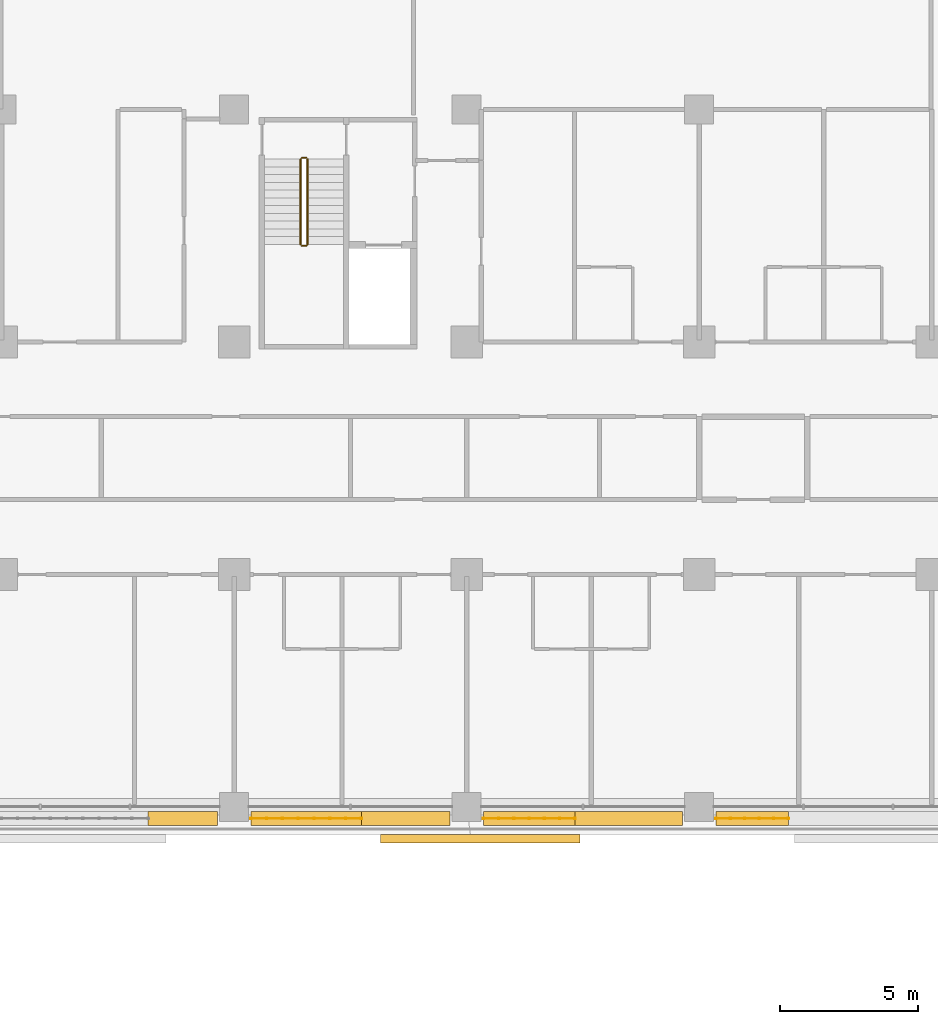
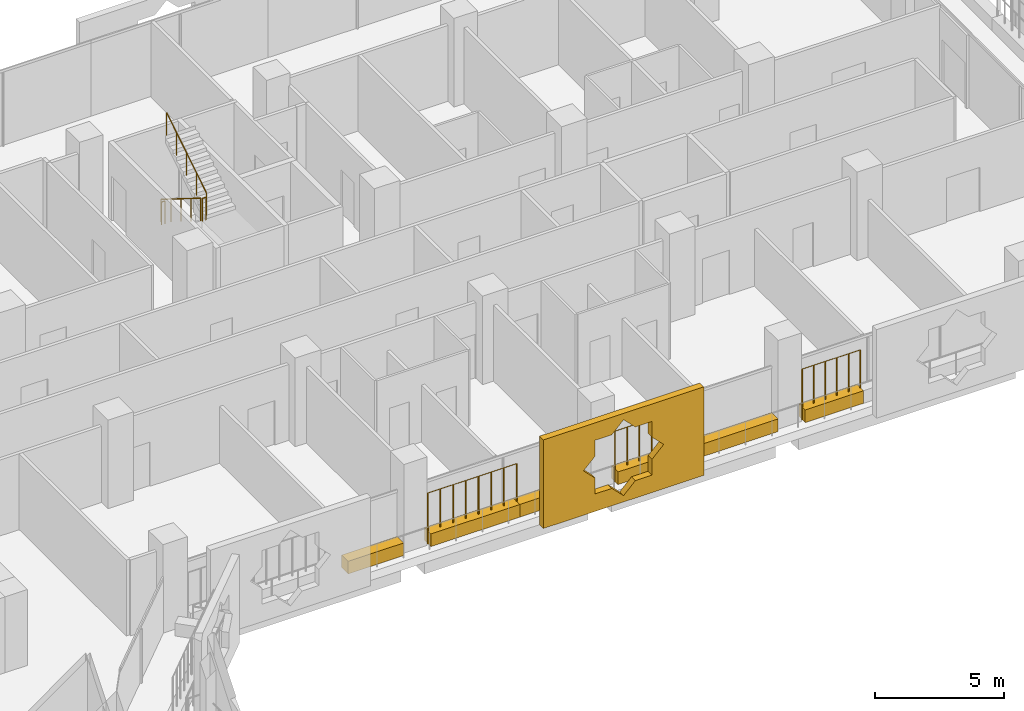
# One storey, part 23 of 25: 7 coverings, 7 railings.
"""IFC4 building model written with IfcOpenShell, lengths in metres."""

from ifc_helpers import new_model, si_unit, direction, frame, origin, origin_2d, place, context, subcontext, project, spatial, polyline, rectangle, circle, outline, extrude, material, material_profile, profile_set, type_object, element, save


model = new_model("IFC4")

# Units and contexts
model_context = context("Model", 3, precision=1e-05, world=origin(), true_north=direction((0.0, 1.0)))
body_context = subcontext(model_context, "Body", "Model", "MODEL_VIEW")
ifc_project = project(units=[si_unit("LENGTHUNIT", "METRE"), si_unit("AREAUNIT", "SQUARE_METRE"), si_unit("VOLUMEUNIT", "CUBIC_METRE"), si_unit("PLANEANGLEUNIT", "RADIAN"), si_unit("MASSUNIT", "GRAM", prefix="KILO")], contexts=[model_context])

# Site, building, storey
site_placement = place(None, origin())
site = spatial("IfcSite", under=ifc_project, at=site_placement, CompositionType="ELEMENT")
building_placement = place(site_placement, origin())
building = spatial("IfcBuilding", under=site, at=building_placement, Name="Kawkab Arch Medical Tower", CompositionType="ELEMENT")
storey_placement = place(building_placement, frame((0.0, 0.0, 145.0)))
storey = spatial("IfcBuildingStorey", under=building, at=storey_placement, Name="L33", CompositionType="ELEMENT", Elevation=145.0)

# Coverings
ifc_material_1 = material(Name="Bronze anodised aluminium mashrabiya panel, eight-point star pattern", Category="aluminium")
ifc_material_profile_1 = material_profile(ifc_material_1, outline(polyline([(-3.60009765625, -2.10009765625), (3.60009765625, -2.10009765625), (3.60009765625, 2.10009765625), (-3.60009765625, 2.10009765625), (-3.60009765625, -2.10009765625)]), holes=[polyline([(1.800048828125, 0.0), (1.272705078125, 0.527099609375), (1.272705078125, 1.272705078125), (0.527099609375, 1.272705078125), (0.0, 1.800048828125), (-0.527099609375, 1.272705078125), (-1.272705078125, 1.272705078125), (-1.272705078125, 0.527099609375), (-1.800048828125, 0.0), (-1.272705078125, -0.527099609375), (-1.272705078125, -1.272705078125), (-0.527099609375, -1.272705078125), (0.0, -1.800048828125), (0.527099609375, -1.272705078125), (1.272705078125, -1.272705078125), (1.272705078125, -0.527099609375), (1.800048828125, 0.0)])]), Name="Mashrabiya panel 7200x4200")
ifc_profile_set_1 = profile_set([ifc_material_profile_1], Name="Bronze anodised aluminium mashrabiya panel, eight-point star pattern")
covering_type_1 = type_object("IfcCoveringType", Name="Mashrabiya panel 7200 x 4200", PredefinedType="USERDEFINED", material=ifc_profile_set_1)
covering_1_placement = place(storey_placement, frame((50.892333984375, -26.199951171875, 1.699951171875), z_axis=(0.0, -1.0, 0.0), x_axis=(1.0, 0.0, 0.0)))
element("IfcCovering", 1, at=covering_1_placement, inside=storey, type_object=covering_type_1, Name="Mashrabiya panel L33.LOG-01-01.12", ObjectType="SCREEN", PredefinedType="USERDEFINED", context=body_context, shape_type="SweptSolid", body=[
    extrude(outline(polyline([(-3.60009765625, -2.10009765625), (3.60009765625, -2.10009765625), (3.60009765625, 2.10009765625), (-3.60009765625, 2.10009765625), (-3.60009765625, -2.10009765625)]), holes=[polyline([(1.800048828125, 0.0), (1.272705078125, 0.527099609375), (1.272705078125, 1.272705078125), (0.527099609375, 1.272705078125), (0.0, 1.800048828125), (-0.527099609375, 1.272705078125), (-1.272705078125, 1.272705078125), (-1.272705078125, 0.527099609375), (-1.800048828125, 0.0), (-1.272705078125, -0.527099609375), (-1.272705078125, -1.272705078125), (-0.527099609375, -1.272705078125), (0.0, -1.800048828125), (0.527099609375, -1.272705078125), (1.272705078125, -1.272705078125), (1.272705078125, -0.527099609375), (1.800048828125, 0.0)])]), origin(), (0.0, 0.0, 1.0), 0.300048828125),
])
ifc_material_2 = material(Name="Planting soil in a precast trough", Category="concrete")
ifc_material_profile_2 = material_profile(ifc_material_2, rectangle(XDim=0.5, YDim=0.60009765625, at=origin_2d()), Name="Trough 500x600")
ifc_profile_set_2 = profile_set([ifc_material_profile_2], Name="Planting soil in a precast trough")
covering_type_2 = type_object("IfcCoveringType", Name="Planter trough 500 x 600", PredefinedType="USERDEFINED", material=ifc_profile_set_2)
covering_2_placement = place(storey_placement, frame((62.01806640625, -25.6201171875, 0.300048828125), z_axis=(-1.0, 0.0, 0.0), x_axis=(0.0, -1.0, 0.0)))
element("IfcCovering", 2, at=covering_2_placement, inside=storey, type_object=covering_type_2, Name="Planter L33.LOG-01-01.35", ObjectType="PLANTER", PredefinedType="USERDEFINED", context=body_context, shape_type="SweptSolid", body=[
    extrude(rectangle(XDim=0.5, YDim=0.60009765625, at=origin_2d()), origin(), (0.0, 0.0, 1.0), 2.613037109375),
])
covering_3_placement = place(storey_placement, frame((58.195068359375, -25.6201171875, 0.300048828125), z_axis=(-1.0, 0.0, 0.0), x_axis=(0.0, -1.0, 0.0)))
element("IfcCovering", 3, at=covering_3_placement, inside=storey, type_object=covering_type_2, Name="Planter L33.LOG-01-01.36", ObjectType="PLANTER", PredefinedType="USERDEFINED", context=body_context, shape_type="SweptSolid", body=[
    extrude(rectangle(XDim=0.5, YDim=0.60009765625, at=origin_2d()), origin(), (0.0, 0.0, 1.0), 3.885986328125),
])
covering_4_placement = place(storey_placement, frame((54.30908203125, -25.6201171875, 0.300048828125), z_axis=(-1.0, 0.0, 0.0), x_axis=(0.0, -1.0, 0.0)))
element("IfcCovering", 4, at=covering_4_placement, inside=storey, type_object=covering_type_2, Name="Planter L33.LOG-01-01.37", ObjectType="PLANTER", PredefinedType="USERDEFINED", context=body_context, shape_type="SweptSolid", body=[
    extrude(rectangle(XDim=0.5, YDim=0.60009765625, at=origin_2d()), origin(), (0.0, 0.0, 1.0), 3.30419921875),
])
covering_5_placement = place(storey_placement, frame((49.794921875, -25.6201171875, 0.300048828125), z_axis=(-1.0, 0.0, 0.0), x_axis=(0.0, -1.0, 0.0)))
element("IfcCovering", 5, at=covering_5_placement, inside=storey, type_object=covering_type_2, Name="Planter L33.LOG-01-01.38", ObjectType="PLANTER", PredefinedType="USERDEFINED", context=body_context, shape_type="SweptSolid", body=[
    extrude(rectangle(XDim=0.5, YDim=0.60009765625, at=origin_2d()), origin(), (0.0, 0.0, 1.0), 3.19384765625),
])
covering_6_placement = place(storey_placement, frame((46.60107421875, -25.6201171875, 0.300048828125), z_axis=(-1.0, 0.0, 0.0), x_axis=(0.0, -1.0, 0.0)))
element("IfcCovering", 6, at=covering_6_placement, inside=storey, type_object=covering_type_2, Name="Planter L33.LOG-01-01.39", ObjectType="PLANTER", PredefinedType="USERDEFINED", context=body_context, shape_type="SweptSolid", body=[
    extrude(rectangle(XDim=0.5, YDim=0.60009765625, at=origin_2d()), origin(), (0.0, 0.0, 1.0), 3.99609375),
])
covering_7_placement = place(storey_placement, frame((41.39501953125, -25.6201171875, 0.300048828125), z_axis=(-1.0, 0.0, 0.0), x_axis=(0.0, -1.0, 0.0)))
element("IfcCovering", 7, at=covering_7_placement, inside=storey, type_object=covering_type_2, Name="Planter L33.LOG-01-01.40", ObjectType="PLANTER", PredefinedType="USERDEFINED", context=body_context, shape_type="SweptSolid", body=[
    extrude(rectangle(XDim=0.5, YDim=0.60009765625, at=origin_2d()), origin(), (0.0, 0.0, 1.0), 2.501953125),
])

# Railings
ifc_material_3 = material(Name="Bronze anodised aluminium trellis for climbing plants", Category="aluminium")
railing_type_1 = type_object("IfcRailingType", Name="Planting trellis 2400", PredefinedType="USERDEFINED", material=ifc_material_3)
railing_1_placement = place(storey_placement, frame((62.01806640625, -25.6201171875, 0.0)))
element("IfcRailing", 8, at=railing_1_placement, inside=storey, type_object=railing_type_1, Name="Planting trellis L33.LOG-01-01.35", ObjectType="TRELLIS", PredefinedType="USERDEFINED", context=body_context, shape_type="SweptSolid", body=[
    extrude(circle(Radius=0.01513671875, at=origin_2d()), frame((0.0, 0.0, 2.384765625), z_axis=(-1.0, 0.0, 0.0), x_axis=(0.0, -1.0, 0.0)), (0.0, 0.0, 1.0), 2.613037109375),
    extrude(circle(Radius=0.030029296875, at=origin_2d()), origin(), (0.0, 0.0, 1.0), 2.369873046875),
    extrude(circle(Radius=0.030029296875, at=origin_2d()), frame((-0.522705078125, 0.0, 0.0)), (0.0, 0.0, 1.0), 2.369873046875),
    extrude(circle(Radius=0.030029296875, at=origin_2d()), frame((-1.045166015625, 0.0, 0.0)), (0.0, 0.0, 1.0), 2.369873046875),
    extrude(circle(Radius=0.030029296875, at=origin_2d()), frame((-1.56787109375, 0.0, 0.0)), (0.0, 0.0, 1.0), 2.369873046875),
    extrude(circle(Radius=0.030029296875, at=origin_2d()), frame((-2.09033203125, 0.0, 0.0)), (0.0, 0.0, 1.0), 2.369873046875),
    extrude(circle(Radius=0.030029296875, at=origin_2d()), frame((-2.613037109375, 0.0, 0.0)), (0.0, 0.0, 1.0), 2.369873046875),
])
railing_2_placement = place(storey_placement, frame((54.30908203125, -25.6201171875, 0.0)))
element("IfcRailing", 9, at=railing_2_placement, inside=storey, type_object=railing_type_1, Name="Planting trellis L33.LOG-01-01.37", ObjectType="TRELLIS", PredefinedType="USERDEFINED", context=body_context, shape_type="SweptSolid", body=[
    extrude(circle(Radius=0.01513671875, at=origin_2d()), frame((0.0, 0.0, 2.384765625), z_axis=(-1.0, 0.0, 0.0), x_axis=(0.0, -1.0, 0.0)), (0.0, 0.0, 1.0), 3.30419921875),
    extrude(circle(Radius=0.030029296875, at=origin_2d()), origin(), (0.0, 0.0, 1.0), 2.369873046875),
    extrude(circle(Radius=0.030029296875, at=origin_2d()), frame((-0.55078125, 0.0, 0.0)), (0.0, 0.0, 1.0), 2.369873046875),
    extrude(circle(Radius=0.030029296875, at=origin_2d()), frame((-1.101318359375, 0.0, 0.0)), (0.0, 0.0, 1.0), 2.369873046875),
    extrude(circle(Radius=0.030029296875, at=origin_2d()), frame((-1.652099609375, 0.0, 0.0)), (0.0, 0.0, 1.0), 2.369873046875),
    extrude(circle(Radius=0.030029296875, at=origin_2d()), frame((-2.202880859375, 0.0, 0.0)), (0.0, 0.0, 1.0), 2.369873046875),
    extrude(circle(Radius=0.030029296875, at=origin_2d()), frame((-2.75341796875, 0.0, 0.0)), (0.0, 0.0, 1.0), 2.369873046875),
    extrude(circle(Radius=0.030029296875, at=origin_2d()), frame((-3.30419921875, 0.0, 0.0)), (0.0, 0.0, 1.0), 2.369873046875),
])
railing_3_placement = place(storey_placement, frame((46.60107421875, -25.6201171875, 0.0)))
element("IfcRailing", 10, at=railing_3_placement, inside=storey, type_object=railing_type_1, Name="Planting trellis L33.LOG-01-01.39", ObjectType="TRELLIS", PredefinedType="USERDEFINED", context=body_context, shape_type="SweptSolid", body=[
    extrude(circle(Radius=0.01513671875, at=origin_2d()), frame((0.0, 0.0, 2.384765625), z_axis=(-1.0, 0.0, 0.0), x_axis=(0.0, -1.0, 0.0)), (0.0, 0.0, 1.0), 3.99609375),
    extrude(circle(Radius=0.030029296875, at=origin_2d()), origin(), (0.0, 0.0, 1.0), 2.369873046875),
    extrude(circle(Radius=0.030029296875, at=origin_2d()), frame((-0.57080078125, 0.0, 0.0)), (0.0, 0.0, 1.0), 2.369873046875),
    extrude(circle(Radius=0.030029296875, at=origin_2d()), frame((-1.141845703125, 0.0, 0.0)), (0.0, 0.0, 1.0), 2.369873046875),
    extrude(circle(Radius=0.030029296875, at=origin_2d()), frame((-1.712646484375, 0.0, 0.0)), (0.0, 0.0, 1.0), 2.369873046875),
    extrude(circle(Radius=0.030029296875, at=origin_2d()), frame((-2.283447265625, 0.0, 0.0)), (0.0, 0.0, 1.0), 2.369873046875),
    extrude(circle(Radius=0.030029296875, at=origin_2d()), frame((-2.854248046875, 0.0, 0.0)), (0.0, 0.0, 1.0), 2.369873046875),
    extrude(circle(Radius=0.030029296875, at=origin_2d()), frame((-3.42529296875, 0.0, 0.0)), (0.0, 0.0, 1.0), 2.369873046875),
    extrude(circle(Radius=0.030029296875, at=origin_2d()), frame((-3.99609375, 0.0, 0.0)), (0.0, 0.0, 1.0), 2.369873046875),
])
ifc_material_4 = material(Name="Stainless steel", Category="steel")
railing_type_2 = type_object("IfcRailingType", Name="Stair guard 1100", PredefinedType="GUARDRAIL", material=ifc_material_4)
railing_4_placement = place(storey_placement, frame((44.39990234375, -1.800048828125, 0.175048828125)))
element("IfcRailing", 11, at=railing_4_placement, inside=storey, type_object=railing_type_2, Name="L33 ST5 stair guard 1", PredefinedType="GUARDRAIL", context=body_context, shape_type="SweptSolid", body=[
    extrude(circle(Radius=0.02392578125, at=origin_2d()), frame((0.0, 0.0, 1.076171875), z_axis=(0.0, -0.847979421464, 0.530029150871), x_axis=(1.0, 0.0, 0.0)), (0.0, 0.0, 1.0), 3.632080078125),
    extrude(circle(Radius=0.02099609375, at=origin_2d()), origin(), (0.0, 0.0, 1.0), 1.052001953125),
    extrude(circle(Radius=0.02099609375, at=origin_2d()), frame((0.0, -0.77001953125, 0.481201171875)), (0.0, 0.0, 1.0), 1.052001953125),
    extrude(circle(Radius=0.02099609375, at=origin_2d()), frame((0.0, -1.5400390625, 0.96240234375)), (0.0, 0.0, 1.0), 1.052001953125),
    extrude(circle(Radius=0.02099609375, at=origin_2d()), frame((0.0, -2.309814453125, 1.44384765625)), (0.0, 0.0, 1.0), 1.052001953125),
    extrude(circle(Radius=0.02099609375, at=origin_2d()), frame((0.0, -3.079833984375, 1.925048828125)), (0.0, 0.0, 1.0), 1.052001953125),
])
railing_5_placement = place(storey_placement, frame((44.449951171875, -4.929931640625, 2.10009765625)))
element("IfcRailing", 12, at=railing_5_placement, inside=storey, type_object=railing_type_2, Name="L33 ST5 stair guard 2", PredefinedType="GUARDRAIL", context=body_context, shape_type="SweptSolid", body=[
    extrude(circle(Radius=0.02392578125, at=origin_2d()), frame((0.0, 0.0, 1.076171875), z_axis=(1.0, 0.0, 0.0), x_axis=(0.0, 1.0, 0.0)), (0.0, 0.0, 1.0), 0.150146484375),
    extrude(circle(Radius=0.02099609375, at=origin_2d()), origin(), (0.0, 0.0, 1.0), 1.052001953125),
    extrude(circle(Radius=0.02099609375, at=origin_2d()), frame((0.150146484375, 0.0, 0.0)), (0.0, 0.0, 1.0), 1.052001953125),
])
railing_6_placement = place(storey_placement, frame((44.64990234375, -4.8798828125, 2.27490234375)))
element("IfcRailing", 13, at=railing_6_placement, inside=storey, type_object=railing_type_2, Name="L33 ST5 stair guard 3", PredefinedType="GUARDRAIL", context=body_context, shape_type="SweptSolid", body=[
    extrude(circle(Radius=0.02392578125, at=origin_2d()), frame((0.0, 0.0, 1.076171875), z_axis=(0.0, 0.847979421464, 0.530029150871), x_axis=(-1.0, 0.0, 0.0)), (0.0, 0.0, 1.0), 3.632080078125),
    extrude(circle(Radius=0.02099609375, at=origin_2d()), origin(), (0.0, 0.0, 1.0), 1.052001953125),
    extrude(circle(Radius=0.02099609375, at=origin_2d()), frame((0.0, 0.77001953125, 0.481201171875)), (0.0, 0.0, 1.0), 1.052001953125),
    extrude(circle(Radius=0.02099609375, at=origin_2d()), frame((0.0, 1.5400390625, 0.96240234375)), (0.0, 0.0, 1.0), 1.052001953125),
    extrude(circle(Radius=0.02099609375, at=origin_2d()), frame((0.0, 2.309814453125, 1.44384765625)), (0.0, 0.0, 1.0), 1.052001953125),
    extrude(circle(Radius=0.02099609375, at=origin_2d()), frame((0.0, 3.079833984375, 1.925048828125)), (0.0, 0.0, 1.0), 1.052001953125),
])
railing_7_placement = place(storey_placement, frame((44.449951171875, -1.75, 0.0)))
element("IfcRailing", 14, at=railing_7_placement, inside=storey, type_object=railing_type_2, Name="L33 ST5 stair guard 4", PredefinedType="GUARDRAIL", context=body_context, shape_type="SweptSolid", body=[
    extrude(circle(Radius=0.02392578125, at=origin_2d()), frame((0.0, 0.0, 1.076171875), z_axis=(1.0, 0.0, 0.0), x_axis=(0.0, 1.0, 0.0)), (0.0, 0.0, 1.0), 0.150146484375),
    extrude(circle(Radius=0.02099609375, at=origin_2d()), origin(), (0.0, 0.0, 1.0), 1.052001953125),
    extrude(circle(Radius=0.02099609375, at=origin_2d()), frame((0.150146484375, 0.0, 0.0)), (0.0, 0.0, 1.0), 1.052001953125),
])

save(model, "model.ifc")
